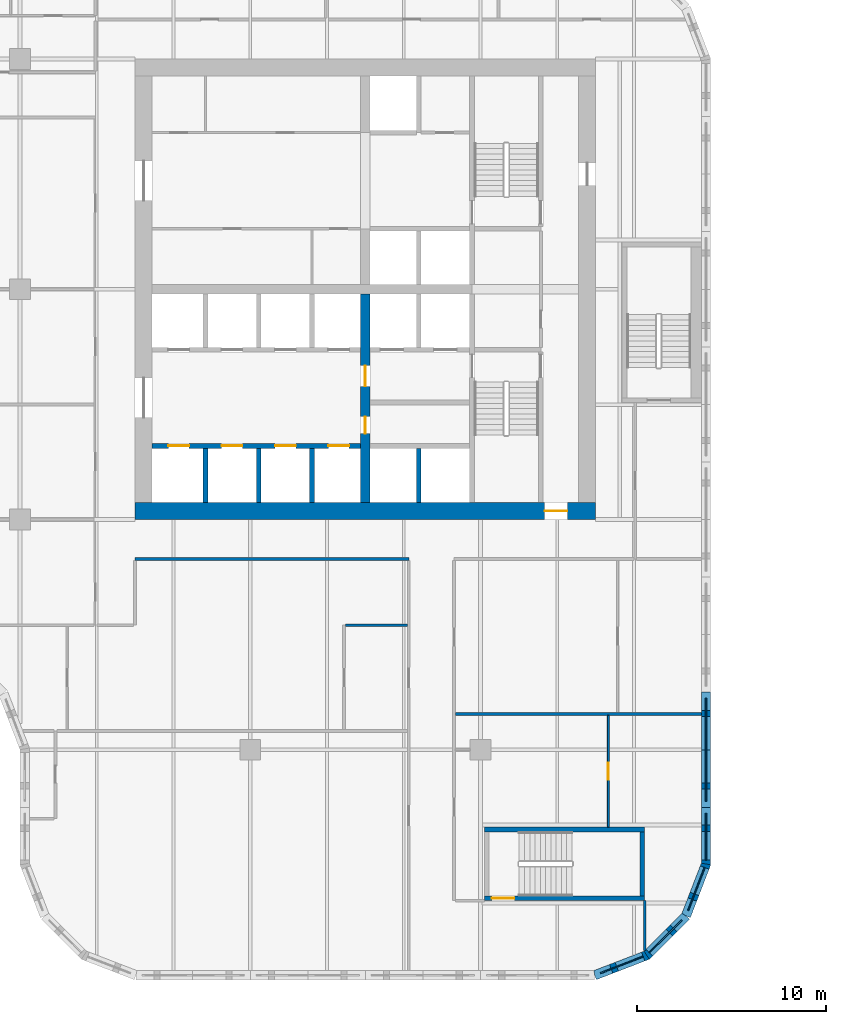
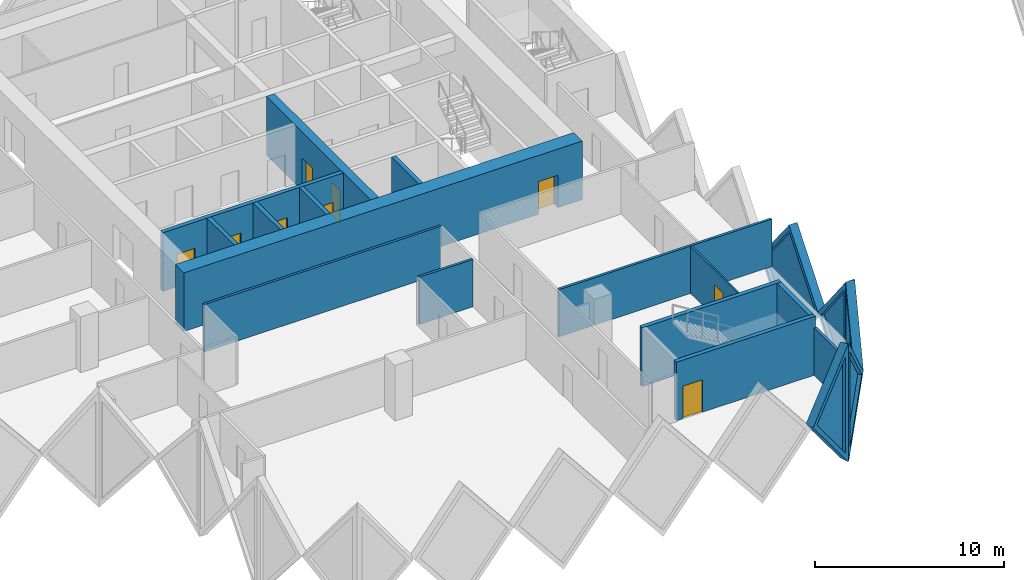
# One storey, part 6 of 18: 20 walls, 9 doors, 5 plates, 14 openings.
"""IFC4 building model written with IfcOpenShell, lengths in metres."""

import ifcopenshell
import ifcopenshell.guid

model = None  # the IFC model being written
_history = None  # IfcOwnerHistory: only IFC2X3 demands one
_inside = {}  # id of a spatial element -> (the spatial element, [elements in it])
_under = {}  # id of a project, library or spatial element -> (it, [spatial elements below it])
_declared = {}  # id of a project -> (the project, [libraries it declares])
_typed = {}  # id of a type object -> (the type object, [elements of that type])
_made_of = {}  # id of a material, layer set ... -> (it, [elements and type objects made of it])


def new_model(schema):
    """Start an empty IFC model of exactly this schema.

    Asked for "IFC4X3", IfcOpenShell would pick the latest addendum, in which some entities
    have other attributes; the version numbers below select the first issue.
    IFC2X3 requires an IfcOwnerHistory on every rooted entity: one is made here for all.
    """
    global model, _history
    if schema == "IFC4X3":
        model = ifcopenshell.file(schema_version=(4, 3, 0, 0))
    else:
        model = ifcopenshell.file(schema=schema)
    _inside.clear()
    _under.clear()
    _declared.clear()
    _typed.clear()
    _made_of.clear()
    _history = None
    if model.schema == "IFC2X3":
        org = make("IfcOrganization", Name="unknown")
        user = make(
            "IfcPersonAndOrganization",
            ThePerson=make("IfcPerson", FamilyName="unknown"),
            TheOrganization=org,
        )
        app = make(
            "IfcApplication",
            ApplicationDeveloper=org,
            Version="unknown",
            ApplicationFullName="unknown",
            ApplicationIdentifier="unknown",
        )
        _history = make(
            "IfcOwnerHistory",
            OwningUser=user,
            OwningApplication=app,
            ChangeAction="ADDED",
            CreationDate=0,
        )
    return model


def make(cls, **values):
    """One entity of the class cls with the attributes given. An attribute that is None is left unset."""
    return model.create_entity(
        cls, **{name: value for name, value in values.items() if value is not None}
    )


def rooted(cls, **values):
    """An entity with a GlobalId (a new one), such as an element, a storey or a relation."""
    return make(cls, GlobalId=ifcopenshell.guid.new(), OwnerHistory=_history, **values)


def si_unit(unit_type, name, prefix=None):
    """IfcSIUnit, for example si_unit("LENGTHUNIT", "METRE", prefix="MILLI")."""
    return make("IfcSIUnit", UnitType=unit_type, Prefix=prefix, Name=name)


def assignment(units):
    """IfcUnitAssignment: the units of a project."""
    return None if units is None else make("IfcUnitAssignment", Units=units)


def point(xyz):
    """IfcCartesianPoint."""
    return None if xyz is None else make("IfcCartesianPoint", Coordinates=xyz)


def direction(xyz):
    """IfcDirection."""
    return None if xyz is None else make("IfcDirection", DirectionRatios=xyz)


def frame(location, z_axis=None, x_axis=None):
    """IfcAxis2Placement3D, a coordinate frame: its origin and axes. An axis left out is left unset."""
    return make(
        "IfcAxis2Placement3D",
        Location=point(location),
        Axis=direction(z_axis),
        RefDirection=direction(x_axis),
    )


def frame_2d(location, x_axis=None):
    """IfcAxis2Placement2D, a coordinate frame in the plane: its origin and x axis."""
    return make(
        "IfcAxis2Placement2D", Location=point(location), RefDirection=direction(x_axis)
    )


def origin():
    """The frame at (0, 0, 0) with its axes left unset."""
    return frame((0.0, 0.0, 0.0))


def place(relative_to, where):
    """IfcLocalPlacement: puts the frame where relative to a parent placement (None: the world)."""
    return make(
        "IfcLocalPlacement", PlacementRelTo=relative_to, RelativePlacement=where
    )


def context(
    kind, dimensions, precision=None, world=None, true_north=None, identifier=None
):
    """IfcGeometricRepresentationContext, for example the 3D "Model" context."""
    return make(
        "IfcGeometricRepresentationContext",
        ContextIdentifier=identifier,
        ContextType=kind,
        CoordinateSpaceDimension=dimensions,
        Precision=precision,
        WorldCoordinateSystem=world,
        TrueNorth=true_north,
    )


def subcontext(parent, identifier, kind, view, scale=None):
    """IfcGeometricRepresentationSubContext, for example "Body" below "Model"."""
    return make(
        "IfcGeometricRepresentationSubContext",
        ContextIdentifier=identifier,
        ContextType=kind,
        ParentContext=parent,
        TargetScale=scale,
        TargetView=view,
    )


def project(units=None, contexts=None):
    """IfcProject with its units and contexts."""
    return rooted(
        "IfcProject",
        Name="project",
        RepresentationContexts=contexts,
        UnitsInContext=assignment(units),
    )


def spatial(cls, under=None, at=None, **own):
    """A site, building, storey or space (cls), placed at a placement, below another one or the project."""
    s = rooted(cls, ObjectPlacement=at, **own)
    if under is not None:
        _under.setdefault(under.id(), (under, []))[1].append(s)
    return s


def polyline(points):
    """IfcPolyline through the points."""
    return make("IfcPolyline", Points=[point(p) for p in points])


def profile(cls, at=None, kind="AREA", **sizes):
    """A parametric profile (cls). Its sizes go by their IFC names, for example OverallWidth=200.0."""
    return make(cls, ProfileType=kind, Position=at, **sizes)


def rectangle(**sizes):
    """IfcRectangleProfileDef."""
    return profile("IfcRectangleProfileDef", **sizes)


def outline(outer, holes=None, kind="AREA"):
    """IfcArbitraryClosedProfileDef: a profile drawn as a closed curve; with holes, ...WithVoids."""
    if holes is None:
        return make("IfcArbitraryClosedProfileDef", ProfileType=kind, OuterCurve=outer)
    return make(
        "IfcArbitraryProfileDefWithVoids",
        ProfileType=kind,
        OuterCurve=outer,
        InnerCurves=holes,
    )


def extrude(swept, where, along, depth):
    """IfcExtrudedAreaSolid: the profile swept, set in the frame where, extruded along a direction by depth."""
    return make(
        "IfcExtrudedAreaSolid",
        SweptArea=swept,
        Position=where,
        ExtrudedDirection=direction(along),
        Depth=depth,
    )


def faces_of(points, faces, orient=None, outer=None):
    """IfcFace entities. A face is a list of loops; a loop is a list of indices into points, from 0.

    orient and outer hold one flag for each loop. By default every Orientation is true, the
    first loop of a face is its IfcFaceOuterBound and the others are IfcFaceBound.
    """
    made = []
    for i, loops in enumerate(faces):
        bounds = []
        for j, loop in enumerate(loops):
            is_outer = j == 0 if outer is None else outer[i][j]
            bounds.append(
                make(
                    "IfcFaceOuterBound" if is_outer else "IfcFaceBound",
                    Bound=make("IfcPolyLoop", Polygon=[points[k] for k in loop]),
                    Orientation=True if orient is None else orient[i][j],
                )
            )
        made.append(make("IfcFace", Bounds=bounds))
    return made


def faceted_brep(points, faces, orient=None, outer=None, voids=None):
    """IfcFacetedBrep: a solid bounded by flat faces; with voids (closed shells), ...WithVoids."""
    shared = [point(p) for p in points]
    hull = make("IfcClosedShell", CfsFaces=faces_of(shared, faces, orient, outer))
    if voids is None:
        return make("IfcFacetedBrep", Outer=hull)
    return make(
        "IfcFacetedBrepWithVoids",
        Outer=hull,
        Voids=[
            make(cls, CfsFaces=faces_of(shared, fs, o, b)) for cls, fs, o, b in voids
        ],
    )


def shape(context_of_items, identifier, shape_type, items):
    """IfcShapeRepresentation: the items that make up one representation, for example the "Body"."""
    return make(
        "IfcShapeRepresentation",
        ContextOfItems=context_of_items,
        RepresentationIdentifier=identifier,
        RepresentationType=shape_type,
        Items=items,
    )


def source(mapping_origin, context_of_items, identifier, shape_type, items):
    """IfcRepresentationMap: a shape defined once, which mapped items show again and again."""
    return make(
        "IfcRepresentationMap",
        MappingOrigin=mapping_origin,
        MappedRepresentation=shape(context_of_items, identifier, shape_type, items),
    )


def transform(
    local_origin,
    x_axis=None,
    y_axis=None,
    z_axis=None,
    scale=None,
    scale2=None,
    scale3=None,
    uniform=True,
):
    """IfcCartesianTransformationOperator3D, or its non-uniform kind. x_axis, y_axis, z_axis: its Axis1, 2, 3."""
    if uniform:
        return make(
            "IfcCartesianTransformationOperator3D",
            Axis1=direction(x_axis),
            Axis2=direction(y_axis),
            LocalOrigin=point(local_origin),
            Scale=scale,
            Axis3=direction(z_axis),
        )
    return make(
        "IfcCartesianTransformationOperator3DnonUniform",
        Axis1=direction(x_axis),
        Axis2=direction(y_axis),
        LocalOrigin=point(local_origin),
        Scale=scale,
        Axis3=direction(z_axis),
        Scale2=scale2,
        Scale3=scale3,
    )


def mapped(mapping_source, mapping_target):
    """IfcMappedItem: shows the shape of a source again, moved by a transform."""
    return make(
        "IfcMappedItem", MappingSource=mapping_source, MappingTarget=mapping_target
    )


def material(Name=None, Category=None):
    """IfcMaterial."""
    return make("IfcMaterial", Name=Name, Category=Category)


def layer(
    of_material, thickness, ventilated=None, Name=None, Category=None, Priority=None
):
    """IfcMaterialLayer: one layer of a wall or slab, of a material (None: an air gap)."""
    return make(
        "IfcMaterialLayer",
        Material=of_material,
        LayerThickness=thickness,
        IsVentilated=ventilated,
        Name=Name,
        Category=Category,
        Priority=Priority,
    )


def layer_set(layers, Name=None):
    """IfcMaterialLayerSet."""
    return make("IfcMaterialLayerSet", MaterialLayers=layers, LayerSetName=Name)


def made_of(thing, what):
    """Note that an element or type object is made of a material, layer set ...; save() writes the relation."""
    if what is not None:
        _made_of.setdefault(what.id(), (what, []))[1].append(thing)
    return thing


def type_object(cls, material=None, **own):
    """A type object (cls), such as IfcWallType, which elements share."""
    return made_of(rooted(cls, **own), material)


def element(
    cls,
    number,
    at=None,
    inside=None,
    cuts=None,
    type_object=None,
    material=None,
    context=None,
    identifier="Body",
    shape_type=None,
    held_by="IfcProductDefinitionShape",
    body=None,
    shapes=None,
    **own,
):
    """One element of the class cls, such as IfcWall. Its Tag is "e" and its number.

    at: its placement. inside: the storey or other place that contains it. cuts: it is an
    opening in that element (IfcRelVoidsElement). A single representation is given by context,
    identifier, shape_type and body (its items); several are given by shapes. held_by: the class
    of the entity that holds the representations. save() writes the other relations.
    """
    e = rooted(cls, Tag="e%d" % number, ObjectPlacement=at, **own)
    if body is not None:
        shapes = [shape(context, identifier, shape_type, body)]
    if shapes is not None:
        e.Representation = make(held_by, Representations=shapes)
    if inside is not None:
        _inside.setdefault(inside.id(), (inside, []))[1].append(e)
    if cuts is not None:
        rooted(
            "IfcRelVoidsElement", RelatingBuildingElement=cuts, RelatedOpeningElement=e
        )
    if type_object is not None:
        _typed.setdefault(type_object.id(), (type_object, []))[1].append(e)
    return made_of(e, material)


def fill(opening, filler):
    """IfcRelFillsElement: the door or window that sits in an opening."""
    return rooted(
        "IfcRelFillsElement",
        RelatingOpeningElement=opening,
        RelatedBuildingElement=filler,
    )


def aggregate(whole, parts):
    """IfcRelAggregates: a whole, such as a stair, and the parts it consists of."""
    return rooted("IfcRelAggregates", RelatingObject=whole, RelatedObjects=parts)


def save(model, path):
    """Write the relations noted so far, then the file.

    IfcRelAggregates (storeys below a building ...), IfcRelContainedInSpatialStructure (elements
    in a storey), IfcRelDefinesByType, IfcRelAssociatesMaterial and IfcRelDeclares: one each for
    every whole, place, type object, material and project.
    """
    for whole, parts in _under.values():
        aggregate(whole, parts)
    for where, things in _inside.values():
        rooted(
            "IfcRelContainedInSpatialStructure",
            RelatedElements=things,
            RelatingStructure=where,
        )
    for kind, things in _typed.values():
        rooted("IfcRelDefinesByType", RelatedObjects=things, RelatingType=kind)
    for what, things in _made_of.values():
        rooted("IfcRelAssociatesMaterial", RelatedObjects=things, RelatingMaterial=what)
    for by, libraries in _declared.values():
        rooted("IfcRelDeclares", RelatingContext=by, RelatedDefinitions=libraries)
    model.write(path)


model = new_model("IFC4")

# Units and contexts
model_context = context("Model", 3, precision=1e-05, world=origin(), true_north=direction((0.0, 1.0)))
body_context = subcontext(model_context, "Body", "Model", "MODEL_VIEW")
ifc_project = project(units=[si_unit("LENGTHUNIT", "METRE"), si_unit("AREAUNIT", "SQUARE_METRE"), si_unit("VOLUMEUNIT", "CUBIC_METRE"), si_unit("PLANEANGLEUNIT", "RADIAN"), si_unit("MASSUNIT", "GRAM", prefix="KILO")], contexts=[model_context])

# Site, building, storey
site_placement = place(None, origin())
site = spatial("IfcSite", under=ifc_project, at=site_placement, CompositionType="ELEMENT")
building_placement = place(site_placement, origin())
building = spatial("IfcBuilding", under=site, at=building_placement, Name="Tessera Gate Towers", CompositionType="ELEMENT")
storey_placement = place(building_placement, frame((0.0, 0.0, 44.800048828125)))
storey = spatial("IfcBuildingStorey", under=building, at=storey_placement, Name="L10", CompositionType="ELEMENT", Elevation=44.800048828125)

# Wall, openings, doors
ifc_material_1 = material(Name="Concrete C40/50", Category="concrete")
ifc_layer_1 = layer(ifc_material_1, 0.25)
ifc_layer_set_1 = layer_set([ifc_layer_1], Name="CORE ENCLOSURE WALL 250")
wall_type_1 = type_object("IfcWallType", Name="CORE ENCLOSURE WALL 250", PredefinedType="SOLIDWALL", material=ifc_layer_set_1)
wall_1_placement = place(storey_placement, frame((31.39990234375, 28.300048828125, 0.0), z_axis=(0.0, 0.0, 1.0), x_axis=(1.0, 0.0, 0.0)))
wall_1 = element("IfcWall", 1, at=wall_1_placement, inside=storey, type_object=wall_type_1, Name="L10 shaft and stair enclosure wall", PredefinedType="SOLIDWALL", context=body_context, shape_type="SweptSolid", body=[
    extrude(rectangle(XDim=11.050048828125, YDim=0.25, at=frame_2d((5.52490234375, 0.0))), origin(), (0.0, 0.0, 1.0), 3.800048828125),
])
shared_shape_1 = source(origin(), body_context, "Body", "SweptSolid", [
    extrude(rectangle(XDim=1.10009765625, YDim=2.10009765625, at=frame_2d((0.550048828125, 1.050048828125))), frame((0.0, 0.135009765625, 0.0), z_axis=(0.0, -1.0, 0.0), x_axis=(1.0, 0.0, 0.0)), (0.0, 0.0, 1.0), 0.27001953125),
])
opening_1_placement = place(wall_1_placement, frame((0.862548828125, 0.0, 0.0)))
opening_1 = element("IfcOpeningElement", 2, at=opening_1_placement, cuts=wall_1, Name="Opening LD-LR1", PredefinedType="OPENING", context=body_context, shape_type="MappedRepresentation", body=[
    mapped(shared_shape_1, transform((0.0, 0.0, 0.0), scale=1.0)),
])
opening_2_placement = place(wall_1_placement, frame((3.6875, 0.0, 0.0)))
opening_2 = element("IfcOpeningElement", 3, at=opening_2_placement, cuts=wall_1, Name="Opening LD-LR2", PredefinedType="OPENING", context=body_context, shape_type="MappedRepresentation", body=[
    mapped(shared_shape_1, transform((0.0, 0.0, 0.0), scale=1.0)),
])
opening_3_placement = place(wall_1_placement, frame((6.512451171875, 0.0, 0.0)))
opening_3 = element("IfcOpeningElement", 4, at=opening_3_placement, cuts=wall_1, Name="Opening LD-LR3", PredefinedType="OPENING", context=body_context, shape_type="MappedRepresentation", body=[
    mapped(shared_shape_1, transform((0.0, 0.0, 0.0), scale=1.0)),
])
opening_4_placement = place(wall_1_placement, frame((9.33740234375, 0.0, 0.0)))
opening_4 = element("IfcOpeningElement", 5, at=opening_4_placement, cuts=wall_1, Name="Opening LD-LR4", PredefinedType="OPENING", context=body_context, shape_type="MappedRepresentation", body=[
    mapped(shared_shape_1, transform((0.0, 0.0, 0.0), scale=1.0)),
])
ifc_material_2 = material(Name="Stainless steel", Category="steel")
door_type_1 = type_object("IfcDoorType", Name="CORE DOOR LD 1100x2100", OperationType="DOUBLE_DOOR_SLIDING", PredefinedType="DOOR", material=ifc_material_2)
shared_shape_2 = source(origin(), body_context, "Body", "SweptSolid", [
    extrude(rectangle(XDim=1.10009765625, YDim=2.10009765625, at=frame_2d((0.550048828125, 1.050048828125))), frame((0.0, 0.02490234375, 0.0), z_axis=(0.0, -1.0, 0.0), x_axis=(1.0, 0.0, 0.0)), (0.0, 0.0, 1.0), 0.050048828125),
])
door_1_placement = place(opening_1_placement, origin())
door_1 = element("IfcDoor", 6, at=door_1_placement, inside=storey, type_object=door_type_1, Name="Landing door LR1 L10", OperationType="DOUBLE_DOOR_SLIDING", OverallHeight=2.10009765625, OverallWidth=1.10009765625, PredefinedType="DOOR", context=body_context, shape_type="MappedRepresentation", body=[
    mapped(shared_shape_2, transform((0.0, 0.0, 0.0), scale=1.0)),
])
fill(opening_1, door_1)
door_2_placement = place(opening_2_placement, origin())
door_2 = element("IfcDoor", 7, at=door_2_placement, inside=storey, type_object=door_type_1, Name="Landing door LR2 L10", OperationType="DOUBLE_DOOR_SLIDING", OverallHeight=2.10009765625, OverallWidth=1.10009765625, PredefinedType="DOOR", context=body_context, shape_type="MappedRepresentation", body=[
    mapped(shared_shape_2, transform((0.0, 0.0, 0.0), scale=1.0)),
])
fill(opening_2, door_2)
door_3_placement = place(opening_3_placement, origin())
door_3 = element("IfcDoor", 8, at=door_3_placement, inside=storey, type_object=door_type_1, Name="Landing door LR3 L10", OperationType="DOUBLE_DOOR_SLIDING", OverallHeight=2.10009765625, OverallWidth=1.10009765625, PredefinedType="DOOR", context=body_context, shape_type="MappedRepresentation", body=[
    mapped(shared_shape_2, transform((0.0, 0.0, 0.0), scale=1.0)),
])
fill(opening_3, door_3)
door_4_placement = place(opening_4_placement, origin())
door_4 = element("IfcDoor", 9, at=door_4_placement, inside=storey, type_object=door_type_1, Name="Landing door LR4 L10", OperationType="DOUBLE_DOOR_SLIDING", OverallHeight=2.10009765625, OverallWidth=1.10009765625, PredefinedType="DOOR", context=body_context, shape_type="MappedRepresentation", body=[
    mapped(shared_shape_2, transform((0.0, 0.0, 0.0), scale=1.0)),
])
fill(opening_4, door_4)

# Walls
for number, where, z_axis, x_axis, name in (
    (10, (34.22509765625, 25.300048828125, 0.0), (0.0, 0.0, 1.0), (0.0, 1.0, 0.0), "L10 shaft and stair enclosure wall"),
    (11, (37.050048828125, 25.300048828125, 0.0), (0.0, 0.0, 1.0), (0.0, 1.0, 0.0), "L10 shaft and stair enclosure wall"),
    (12, (39.875, 25.300048828125, 0.0), (0.0, 0.0, 1.0), (0.0, 1.0, 0.0), "L10 shaft and stair enclosure wall"),
    (13, (45.52490234375, 25.300048828125, 0.0), (0.0, 0.0, 1.0), (0.0, 1.0, 0.0), "L10 shaft and stair enclosure wall"),
):
    element("IfcWall", number, at=place(storey_placement, frame(where, z_axis=z_axis, x_axis=x_axis)), inside=storey, type_object=wall_type_1, Name=name, PredefinedType="SOLIDWALL", context=body_context, shape_type="SweptSolid", body=[
        extrude(rectangle(XDim=2.875, YDim=0.25, at=frame_2d((1.4375, 0.0))), origin(), (0.0, 0.0, 1.0), 3.800048828125),
    ])

# Wall, opening, door
wall_2_placement = place(storey_placement, frame((57.5, 4.324951171875, 0.0), z_axis=(0.0, 0.0, 1.0), x_axis=(-1.0, 0.0, 0.0)))
wall_2 = element("IfcWall", 14, at=wall_2_placement, inside=storey, type_object=wall_type_1, Name="L10 ST4 enclosure wall", PredefinedType="SOLIDWALL", context=body_context, shape_type="SweptSolid", body=[
    extrude(rectangle(XDim=8.5, YDim=0.25, at=frame_2d((4.25, 0.0))), origin(), (0.0, 0.0, 1.0), 3.800048828125),
])
shared_shape_3 = source(origin(), body_context, "Body", "SweptSolid", [
    extrude(rectangle(XDim=1.199951171875, YDim=2.10009765625, at=frame_2d((0.60009765625, 1.050048828125))), frame((0.0, 0.135009765625, 0.0), z_axis=(0.0, -1.0, 0.0), x_axis=(1.0, 0.0, 0.0)), (0.0, 0.0, 1.0), 0.27001953125),
])
opening_5_placement = place(wall_2_placement, frame((6.89990234375, 0.0, 0.0)))
opening_5 = element("IfcOpeningElement", 15, at=opening_5_placement, cuts=wall_2, Name="Opening SD-ST4-1", PredefinedType="OPENING", context=body_context, shape_type="MappedRepresentation", body=[
    mapped(shared_shape_3, transform((0.0, 0.0, 0.0), scale=1.0)),
])
ifc_material_3 = material(Name="Hollow steel fire door", Category="steel")
door_type_2 = type_object("IfcDoorType", Name="CORE DOOR SD 1200x2100", OperationType="NOTDEFINED", PredefinedType="DOOR", material=ifc_material_3)
shared_shape_4 = source(origin(), body_context, "Body", "SweptSolid", [
    extrude(rectangle(XDim=1.199951171875, YDim=2.10009765625, at=frame_2d((0.60009765625, 1.050048828125))), frame((0.0, 0.02490234375, 0.0), z_axis=(0.0, -1.0, 0.0), x_axis=(1.0, 0.0, 0.0)), (0.0, 0.0, 1.0), 0.050048828125),
])
door_5_placement = place(opening_5_placement, origin())
door_5 = element("IfcDoor", 16, at=door_5_placement, inside=storey, type_object=door_type_2, Name="Stair door", OperationType="SINGLE_SWING_RIGHT", OverallHeight=2.10009765625, OverallWidth=1.199951171875, PredefinedType="DOOR", context=body_context, shape_type="MappedRepresentation", body=[
    mapped(shared_shape_4, transform((0.0, 0.0, 0.0), scale=1.0)),
])
fill(opening_5, door_5)

# Walls
wall_3_placement = place(storey_placement, frame((49.0, 7.97509765625, 0.0), z_axis=(0.0, 0.0, 1.0), x_axis=(1.0, 0.0, 0.0)))
element("IfcWall", 17, at=wall_3_placement, inside=storey, type_object=wall_type_1, Name="L10 ST4 enclosure wall", PredefinedType="SOLIDWALL", context=body_context, shape_type="SweptSolid", body=[
    extrude(rectangle(XDim=8.5, YDim=0.25, at=frame_2d((4.25, 0.0))), origin(), (0.0, 0.0, 1.0), 3.800048828125),
])
wall_4_placement = place(storey_placement, frame((57.375, 7.85009765625, 0.0), z_axis=(0.0, 0.0, 1.0), x_axis=(0.0, -1.0, 0.0)))
element("IfcWall", 18, at=wall_4_placement, inside=storey, type_object=wall_type_1, Name="L10 ST4 enclosure wall", PredefinedType="SOLIDWALL", context=body_context, shape_type="SweptSolid", body=[
    extrude(rectangle(XDim=3.400146484375, YDim=0.25, at=frame_2d((1.7001953125, 0.0))), origin(), (0.0, 0.0, 1.0), 3.800048828125),
])

# Wall, opening, door
ifc_material_4 = material(Name="Concrete C70/85", Category="concrete")
ifc_layer_2 = layer(ifc_material_4, 0.89990234375)
ifc_layer_set_2 = layer_set([ifc_layer_2], Name="CORE SHEAR WALL 900 C70/85")
wall_type_2 = type_object("IfcWallType", Name="CORE SHEAR WALL 900 C70/85", PredefinedType="SHEAR", material=ifc_layer_set_2)
wall_5_placement = place(storey_placement, frame((54.89990234375, 24.85009765625, 0.0), z_axis=(0.0, 0.0, 1.0), x_axis=(-1.0, 0.0, 0.0)))
wall_5 = element("IfcWall", 19, at=wall_5_placement, inside=storey, type_object=wall_type_2, Name="Core wall S L10", PredefinedType="SHEAR", context=body_context, shape_type="SweptSolid", body=[
    extrude(rectangle(XDim=24.39990234375, YDim=0.89990234375, at=frame_2d((12.199951171875, 0.0))), origin(), (0.0, 0.0, 1.0), 3.800048828125),
])
shared_shape_5 = source(origin(), body_context, "Body", "SweptSolid", [
    extrude(rectangle(XDim=1.199951171875, YDim=2.10009765625, at=frame_2d((0.60009765625, 1.050048828125))), frame((0.0, 0.4599609375, 0.0), z_axis=(0.0, -1.0, 0.0), x_axis=(1.0, 0.0, 0.0)), (0.0, 0.0, 1.0), 0.919921875),
])
opening_6_placement = place(wall_5_placement, frame((1.5, 0.0, 0.0)))
opening_6 = element("IfcOpeningElement", 20, at=opening_6_placement, cuts=wall_5, Name="Opening ED-T1-08-01", PredefinedType="OPENING", context=body_context, shape_type="MappedRepresentation", body=[
    mapped(shared_shape_5, transform((0.0, 0.0, 0.0), scale=1.0)),
])
ifc_material_5 = material(Name="Hollow steel fire door", Category="steel")
door_type_3 = type_object("IfcDoorType", Name="CORE DOOR ED 1200x2100", OperationType="NOTDEFINED", PredefinedType="DOOR", material=ifc_material_5)
door_6_placement = place(opening_6_placement, origin())
door_6 = element("IfcDoor", 21, at=door_6_placement, inside=storey, type_object=door_type_3, Name="Core exit door", OperationType="SINGLE_SWING_LEFT", OverallHeight=2.10009765625, OverallWidth=1.199951171875, PredefinedType="DOOR", context=body_context, shape_type="MappedRepresentation", body=[
    mapped(shared_shape_4, transform((0.0, 0.0, 0.0), scale=1.0)),
])
fill(opening_6, door_6)

# Wall, openings, doors
ifc_material_6 = material(Name="Concrete C70/85", Category="concrete")
ifc_layer_3 = layer(ifc_material_6, 0.5)
ifc_layer_set_3 = layer_set([ifc_layer_3], Name="CORE SPINE WALL 500 C70/85")
wall_type_3 = type_object("IfcWallType", Name="CORE SPINE WALL 500 C70/85", PredefinedType="SHEAR", material=ifc_layer_set_3)
wall_6_placement = place(storey_placement, frame((42.699951171875, 36.35009765625, 0.0), z_axis=(0.0, 0.0, 1.0), x_axis=(0.0, -1.0, 0.0)))
wall_6 = element("IfcWall", 22, at=wall_6_placement, inside=storey, type_object=wall_type_3, Name="Core wall spine L10", PredefinedType="SHEAR", context=body_context, shape_type="SweptSolid", body=[
    extrude(rectangle(XDim=11.050048828125, YDim=0.5, at=frame_2d((5.52490234375, 0.0))), origin(), (0.0, 0.0, 1.0), 3.800048828125),
])
shared_shape_6 = source(origin(), body_context, "Body", "SweptSolid", [
    extrude(rectangle(XDim=0.89990234375, YDim=2.10009765625, at=frame_2d((0.449951171875, 1.050048828125))), frame((0.0, 0.260009765625, 0.0), z_axis=(0.0, -1.0, 0.0), x_axis=(1.0, 0.0, 0.0)), (0.0, 0.0, 1.0), 0.52001953125),
])
opening_7_placement = place(wall_6_placement, frame((6.5, 0.0, 0.0)))
opening_7 = element("IfcOpeningElement", 23, at=opening_7_placement, cuts=wall_6, Name="Opening RD-T1-08-05", PredefinedType="OPENING", context=body_context, shape_type="MappedRepresentation", body=[
    mapped(shared_shape_6, transform((0.0, 0.0, 0.0), scale=1.0)),
])
shared_shape_7 = source(origin(), body_context, "Body", "SweptSolid", [
    extrude(rectangle(XDim=1.10009765625, YDim=2.10009765625, at=frame_2d((0.550048828125, 1.050048828125))), frame((0.0, 0.260009765625, 0.0), z_axis=(0.0, -1.0, 0.0), x_axis=(1.0, 0.0, 0.0)), (0.0, 0.0, 1.0), 0.52001953125),
])
opening_8_placement = place(wall_6_placement, frame((3.800048828125, 0.0, 0.0)))
opening_8 = element("IfcOpeningElement", 24, at=opening_8_placement, cuts=wall_6, Name="Opening FD-T1-08-06", PredefinedType="OPENING", context=body_context, shape_type="MappedRepresentation", body=[
    mapped(shared_shape_7, transform((0.0, 0.0, 0.0), scale=1.0)),
])
ifc_material_7 = material(Name="Hollow steel fire door", Category="steel")
door_type_4 = type_object("IfcDoorType", Name="CORE DOOR RD 900x2100", OperationType="NOTDEFINED", PredefinedType="DOOR", material=ifc_material_7)
shared_shape_8 = source(origin(), body_context, "Body", "SweptSolid", [
    extrude(rectangle(XDim=0.89990234375, YDim=2.10009765625, at=frame_2d((0.449951171875, 1.050048828125))), frame((0.0, 0.02490234375, 0.0), z_axis=(0.0, -1.0, 0.0), x_axis=(1.0, 0.0, 0.0)), (0.0, 0.0, 1.0), 0.050048828125),
])
door_7_placement = place(opening_7_placement, origin())
door_7 = element("IfcDoor", 25, at=door_7_placement, inside=storey, type_object=door_type_4, Name="Core room door", OperationType="SINGLE_SWING_RIGHT", OverallHeight=2.10009765625, OverallWidth=0.89990234375, PredefinedType="DOOR", context=body_context, shape_type="MappedRepresentation", body=[
    mapped(shared_shape_8, transform((0.0, 0.0, 0.0), scale=1.0)),
])
fill(opening_7, door_7)
ifc_material_8 = material(Name="Hollow steel fire door", Category="steel")
door_type_5 = type_object("IfcDoorType", Name="CORE DOOR FD 1100x2100", OperationType="NOTDEFINED", PredefinedType="DOOR", material=ifc_material_8)
door_8_placement = place(opening_8_placement, origin())
door_8 = element("IfcDoor", 26, at=door_8_placement, inside=storey, type_object=door_type_5, Name="Fire-fighting lobby door", OperationType="SINGLE_SWING_LEFT", OverallHeight=2.10009765625, OverallWidth=1.10009765625, PredefinedType="DOOR", context=body_context, shape_type="MappedRepresentation", body=[
    mapped(shared_shape_2, transform((0.0, 0.0, 0.0), scale=1.0)),
])
fill(opening_8, door_8)

# Walls
ifc_material_9 = material(Name="Gypsum board on steel studs, mineral wool", Category="steel")
ifc_layer_4 = layer(ifc_material_9, 0.14990234375)
ifc_layer_set_4 = layer_set([ifc_layer_4], Name="CORRIDOR WALL 150")
wall_type_4 = type_object("IfcWallType", Name="CORRIDOR WALL 150", PredefinedType="PARTITIONING", material=ifc_layer_set_4)
wall_7_placement = place(storey_placement, frame((57.5, 1.55908203125, 0.0), z_axis=(0.0, 0.0, 1.0), x_axis=(0.0, 1.0, 0.0)))
element("IfcWall", 27, at=wall_7_placement, inside=storey, type_object=wall_type_4, Name="T1-L10-PW-002", PredefinedType="PARTITIONING", context=body_context, shape_type="SweptSolid", body=[
    extrude(rectangle(XDim=2.640869140625, YDim=0.14990234375, at=frame_2d((1.3203125, 0.0))), origin(), (0.0, 0.0, 1.0), 3.06689453125),
])
wall_8_placement = place(storey_placement, frame((30.5, 22.300048828125, 0.0), z_axis=(0.0, 0.0, 1.0), x_axis=(1.0, 0.0, 0.0)))
element("IfcWall", 28, at=wall_8_placement, inside=storey, type_object=wall_type_4, Name="T1-L10-PW-022", PredefinedType="PARTITIONING", context=body_context, shape_type="SweptSolid", body=[
    extrude(rectangle(XDim=14.5, YDim=0.14990234375, at=frame_2d((7.25, 0.0))), origin(), (0.0, 0.0, 1.0), 3.06689453125),
])

# Wall, opening, door
ifc_material_10 = material(Name="Gypsum board on steel studs", Category="steel")
ifc_layer_5 = layer(ifc_material_10, 0.10009765625)
ifc_layer_set_5 = layer_set([ifc_layer_5], Name="PARTITION 100")
wall_type_5 = type_object("IfcWallType", Name="PARTITION 100", PredefinedType="PARTITIONING", material=ifc_layer_set_5)
wall_9_placement = place(storey_placement, frame((55.574951171875, 14.02392578125, 0.0), z_axis=(0.0, 0.0, 1.0), x_axis=(0.0, -1.0, 0.0)))
wall_9 = element("IfcWall", 29, at=wall_9_placement, inside=storey, type_object=wall_type_5, Name="T1-L10-PW-005", PredefinedType="PARTITIONING", context=body_context, shape_type="SweptSolid", body=[
    extrude(rectangle(XDim=5.923828125, YDim=0.10009765625, at=frame_2d((2.9619140625, 0.0))), origin(), (0.0, 0.0, 1.0), 3.06689453125),
])
shared_shape_9 = source(origin(), body_context, "Body", "SweptSolid", [
    extrude(rectangle(XDim=0.89990234375, YDim=2.10009765625, at=frame_2d((0.449951171875, 1.050048828125))), frame((0.0, 0.06005859375, 0.0), z_axis=(0.0, -1.0, 0.0), x_axis=(1.0, 0.0, 0.0)), (0.0, 0.0, 1.0), 0.1201171875),
])
opening_9_placement = place(wall_9_placement, frame((2.52392578125, 0.0, 0.0)))
opening_9 = element("IfcOpeningElement", 30, at=opening_9_placement, cuts=wall_9, Name="Opening D190-A03-08", PredefinedType="OPENING", context=body_context, shape_type="MappedRepresentation", body=[
    mapped(shared_shape_9, transform((0.0, 0.0, 0.0), scale=1.0)),
])
ifc_material_11 = material(Name="Timber door leaf in steel frame", Category="steel")
door_type_6 = type_object("IfcDoorType", Name="INTERNAL DOOR 900 NOT RATED", OperationType="NOTDEFINED", PredefinedType="DOOR", material=ifc_material_11)
door_9_placement = place(opening_9_placement, origin())
door_9 = element("IfcDoor", 31, at=door_9_placement, inside=storey, type_object=door_type_6, Name="T1-L10-PD-012", OperationType="SINGLE_SWING_RIGHT", OverallHeight=2.10009765625, OverallWidth=0.89990234375, PredefinedType="DOOR", context=body_context, shape_type="MappedRepresentation", body=[
    mapped(shared_shape_8, transform((0.0, 0.0, 0.0), scale=1.0)),
])
fill(opening_9, door_9)

# Walls
ifc_material_12 = material(Name="Gypsum board on steel studs, mineral wool", Category="steel")
ifc_layer_6 = layer(ifc_material_12, 0.14990234375)
ifc_layer_set_6 = layer_set([ifc_layer_6], Name="TENANCY WALL 150")
wall_type_6 = type_object("IfcWallType", Name="TENANCY WALL 150", PredefinedType="PARTITIONING", material=ifc_layer_set_6)
wall_10_placement = place(storey_placement, frame((47.47607421875, 14.10009765625, 0.0), z_axis=(0.0, 0.0, 1.0), x_axis=(1.0, 0.0, 0.0)))
element("IfcWall", 32, at=wall_10_placement, inside=storey, type_object=wall_type_6, Name="T1-L10-PW-013", PredefinedType="PARTITIONING", context=body_context, shape_type="SweptSolid", body=[
    extrude(rectangle(XDim=13.02392578125, YDim=0.14990234375, at=frame_2d((6.511962890625, 0.0))), origin(), (0.0, 0.0, 1.0), 3.06689453125),
])
wall_11_placement = place(storey_placement, frame((41.65087890625, 18.800048828125, 0.0), z_axis=(0.0, 0.0, 1.0), x_axis=(1.0, 0.0, 0.0)))
element("IfcWall", 33, at=wall_11_placement, inside=storey, type_object=wall_type_6, Name="T1-L10-PW-020", PredefinedType="PARTITIONING", context=body_context, shape_type="SweptSolid", body=[
    extrude(rectangle(XDim=3.273193359375, YDim=0.14990234375, at=frame_2d((1.63671875, 0.0))), origin(), (0.0, 0.0, 1.0), 3.06689453125),
])

# Wall, opening, plate
ifc_material_13 = material(Name="Precast concrete C60/75 white", Category="concrete")
ifc_layer_7 = layer(ifc_material_13, 0.5)
ifc_layer_set_7 = layer_set([ifc_layer_7], Name="TS1 tessera")
wall_type_7 = type_object("IfcWallType", Name="TS1 tessera", PredefinedType="SOLIDWALL", material=ifc_layer_set_7)
shared_shape_10 = source(origin(), body_context, "Body", "SweptSolid", [
    extrude(outline(polyline([(3.050048828125, 0.0), (6.10009765625, 3.800048828125), (3.050048828125, 7.60009765625), (0.0, 3.800048828125), (3.050048828125, 0.0)])), frame((0.0, 0.25, 0.0), z_axis=(0.0, -1.0, 0.0), x_axis=(1.0, 0.0, 0.0)), (0.0, 0.0, 1.0), 0.5),
])
wall_12_placement = place(storey_placement, frame((60.75, 9.14990234375, -3.800048828125), z_axis=(0.0, 0.0, 1.0), x_axis=(0.0, 1.0, 0.0)))
wall_12 = element("IfcWall", 34, at=wall_12_placement, inside=storey, type_object=wall_type_7, Name="Precast tessera T1 TS1-0119", PredefinedType="SOLIDWALL", context=body_context, shape_type="MappedRepresentation", body=[
    mapped(shared_shape_10, transform((0.0, 0.0, 0.0), scale=1.0)),
])
shared_shape_11 = source(origin(), body_context, "Body", "SweptSolid", [
    extrude(outline(polyline([(3.050048828125, 0.3994140625), (5.779541015625, 3.800048828125), (3.050048828125, 7.20068359375), (0.320556640625, 3.800048828125), (3.050048828125, 0.3994140625)])), frame((0.0, 0.260009765625, 0.0), z_axis=(0.0, -1.0, 0.0), x_axis=(1.0, 0.0, 0.0)), (0.0, 0.0, 1.0), 0.52001953125),
])
opening_10_placement = place(wall_12_placement, origin())
opening_10 = element("IfcOpeningElement", 35, at=opening_10_placement, cuts=wall_12, Name="Opening T1-PL2-0243", PredefinedType="OPENING", context=body_context, shape_type="MappedRepresentation", body=[
    mapped(shared_shape_11, transform((0.0, 0.0, 0.0), scale=1.0)),
])
ifc_material_14 = material(Name="Low-e laminated glass", Category="glass")
ifc_layer_8 = layer(ifc_material_14, 0.06005859375)
ifc_layer_set_8 = layer_set([ifc_layer_8], Name="PL2 rhombic pane")
plate_type = type_object("IfcPlateType", Name="PL2 rhombic pane", PredefinedType="SHEET", material=ifc_layer_set_8)
shared_shape_12 = source(origin(), body_context, "Body", "SweptSolid", [
    extrude(outline(polyline([(3.050048828125, 0.3994140625), (5.779541015625, 3.800048828125), (3.050048828125, 7.20068359375), (0.320556640625, 3.800048828125), (3.050048828125, 0.3994140625)])), frame((0.0, 0.030029296875, 0.0), z_axis=(0.0, -1.0, 0.0), x_axis=(1.0, 0.0, 0.0)), (0.0, 0.0, 1.0), 0.06005859375),
])
plate_1_placement = place(opening_10_placement, origin())
plate_1 = element("IfcPlate", 36, at=plate_1_placement, inside=storey, type_object=plate_type, Name="Glass pane T1 PL2-0243", PredefinedType="SHEET", context=body_context, shape_type="MappedRepresentation", body=[
    mapped(shared_shape_12, transform((0.0, 0.0, 0.0), scale=1.0)),
])
fill(opening_10, plate_1)

ifc_material_15 = material(Name="Precast concrete C60/75 white", Category="concrete")
ifc_layer_9 = layer(ifc_material_15, 0.5)
ifc_layer_set_9 = layer_set([ifc_layer_9], Name="TS3 corner tessera")
wall_type_8 = type_object("IfcWallType", Name="TS3 corner tessera", PredefinedType="SOLIDWALL", material=ifc_layer_set_9)
shared_shape_13 = source(origin(), body_context, "Body", "Brep", [
    faceted_brep([(2.950439453125, -0.25, 0.0), (3.00341796875, -0.25, 0.068359375), (3.00341796875, -0.25, 7.53173828125), (2.950439453125, -0.25, 7.60009765625), (0.0, -0.25, 3.800048828125), (0.046630859375, 0.25, 3.860107421875), (2.897705078125, 0.25, 7.531982421875), (2.897705078125, 0.25, 0.068115234375), (0.046630859375, 0.25, 3.739990234375), (2.950439453125, 0.00048828125, 0.0), (2.950439453125, 0.00048828125, 7.60009765625), (0.0, 0.0, 3.800048828125)], [[[0, 1, 2, 3, 4]], [[5, 6, 7, 8]], [[1, 0, 9]], [[10, 3, 2]], [[6, 5, 11, 4, 3, 10]], [[8, 7, 9, 0, 4, 11]], [[8, 11, 5]], [[1, 9, 7, 6, 10, 2]]]),
])
wall_13_placement = place(storey_placement, frame((54.853515625, 0.25, -3.800048828125), z_axis=(0.0, 0.0, 1.0), x_axis=(0.932970071518, 0.359953949349, 0.0)))
wall_13 = element("IfcWall", 37, at=wall_13_placement, inside=storey, type_object=wall_type_8, Name="Precast corner tessera T1 TS3-0193", PredefinedType="SOLIDWALL", context=body_context, shape_type="MappedRepresentation", body=[
    mapped(shared_shape_13, transform((0.0, 0.0, 0.0), scale=1.0)),
])
shared_shape_14 = source(origin(), body_context, "Body", "SweptSolid", [
    extrude(outline(polyline([(2.75048828125, 6.934814453125), (0.31640625, 3.800048828125), (2.75048828125, 0.665283203125), (2.75048828125, 6.934814453125)])), frame((0.0, 0.260009765625, 0.0), z_axis=(0.0, -1.0, 0.0), x_axis=(1.0, 0.0, 0.0)), (0.0, 0.0, 1.0), 0.52001953125),
])
opening_11_placement = place(wall_13_placement, origin())
opening_11 = element("IfcOpeningElement", 38, at=opening_11_placement, cuts=wall_13, Name="Opening T1-PL2-0239", PredefinedType="OPENING", context=body_context, shape_type="MappedRepresentation", body=[
    mapped(shared_shape_14, transform((0.0, 0.0, 0.0), scale=1.0)),
])
shared_shape_15 = source(origin(), body_context, "Body", "SweptSolid", [
    extrude(outline(polyline([(2.75048828125, 6.934814453125), (0.31640625, 3.800048828125), (2.75048828125, 0.665283203125), (2.75048828125, 6.934814453125)])), frame((0.0, 0.030029296875, 0.0), z_axis=(0.0, -1.0, 0.0), x_axis=(1.0, 0.0, 0.0)), (0.0, 0.0, 1.0), 0.06005859375),
])
plate_2_placement = place(opening_11_placement, origin())
plate_2 = element("IfcPlate", 39, at=plate_2_placement, inside=storey, type_object=plate_type, Name="Glass pane T1 PL2-0239", PredefinedType="SHEET", context=body_context, shape_type="MappedRepresentation", body=[
    mapped(shared_shape_15, transform((0.0, 0.0, 0.0), scale=1.0)),
])
fill(opening_11, plate_2)

shared_shape_16 = source(origin(), body_context, "Body", "Brep", [
    faceted_brep([(0.052978515625, -0.25, 0.0), (2.9970703125, -0.25, 3.800048828125), (0.052978515625, -0.25, 7.60009765625), (0.0, -0.25, 7.531982421875), (0.0, -0.25, 0.068115234375), (0.10595703125, 0.25, 7.53173828125), (2.944091796875, 0.25, 3.8681640625), (2.944091796875, 0.25, 3.73193359375), (0.10595703125, 0.25, 0.068359375), (2.9970703125, 0.000244140625, 3.800048828125), (0.052978515625, 0.0, 0.0), (0.052978515625, 0.0, 7.60009765625)], [[[0, 1, 2, 3, 4]], [[5, 6, 7, 8]], [[8, 7, 9, 1, 0, 10]], [[6, 5, 11, 2, 1, 9]], [[3, 2, 11]], [[10, 0, 4]], [[8, 10, 4, 3, 11, 5]], [[9, 7, 6]]]),
])
wall_14_placement = place(storey_placement, frame((57.56884765625, 1.2744140625, -3.800048828125), z_axis=(0.0, 0.0, 1.0), x_axis=(0.707066050402, 0.707147509625, 0.0)))
wall_14 = element("IfcWall", 40, at=wall_14_placement, inside=storey, type_object=wall_type_8, Name="Precast corner tessera T1 TS3-0194", PredefinedType="SOLIDWALL", context=body_context, shape_type="MappedRepresentation", body=[
    mapped(shared_shape_16, transform((0.0, 0.0, 0.0), scale=1.0)),
])
shared_shape_17 = source(origin(), body_context, "Body", "SweptSolid", [
    extrude(outline(polyline([(0.2529296875, 0.666259765625), (2.680908203125, 3.800048828125), (0.2529296875, 6.93359375), (0.2529296875, 0.666259765625)])), frame((0.0, 0.260009765625, 0.0), z_axis=(0.0, -1.0, 0.0), x_axis=(1.0, 0.0, 0.0)), (0.0, 0.0, 1.0), 0.52001953125),
])
opening_12_placement = place(wall_14_placement, origin())
opening_12 = element("IfcOpeningElement", 41, at=opening_12_placement, cuts=wall_14, Name="Opening T1-PL2-0240", PredefinedType="OPENING", context=body_context, shape_type="MappedRepresentation", body=[
    mapped(shared_shape_17, transform((0.0, 0.0, 0.0), scale=1.0)),
])
shared_shape_18 = source(origin(), body_context, "Body", "SweptSolid", [
    extrude(outline(polyline([(0.2529296875, 0.666259765625), (2.680908203125, 3.800048828125), (0.2529296875, 6.93359375), (0.2529296875, 0.666259765625)])), frame((0.0, 0.030029296875, 0.0), z_axis=(0.0, -1.0, 0.0), x_axis=(1.0, 0.0, 0.0)), (0.0, 0.0, 1.0), 0.06005859375),
])
plate_3_placement = place(opening_12_placement, origin())
plate_3 = element("IfcPlate", 42, at=plate_3_placement, inside=storey, type_object=plate_type, Name="Glass pane T1 PL2-0240", PredefinedType="SHEET", context=body_context, shape_type="MappedRepresentation", body=[
    mapped(shared_shape_18, transform((0.0, 0.0, 0.0), scale=1.0)),
])
fill(opening_12, plate_3)

shared_shape_19 = source(origin(), body_context, "Body", "Brep", [
    faceted_brep([(2.950439453125, -0.25, 0.0), (2.9970703125, -0.25, 0.05908203125), (2.9970703125, -0.25, 7.541015625), (2.950439453125, -0.25, 7.60009765625), (0.0, -0.25, 3.800048828125), (0.052978515625, 0.25, 3.8681640625), (2.904052734375, 0.25, 7.540283203125), (2.904052734375, 0.25, 0.059814453125), (0.052978515625, 0.25, 3.73193359375), (2.950439453125, 0.00048828125, 0.0), (2.950439453125, 0.00048828125, 7.60009765625), (0.0, 0.0, 3.800048828125)], [[[0, 1, 2, 3, 4]], [[5, 6, 7, 8]], [[1, 0, 9]], [[10, 3, 2]], [[6, 5, 11, 4, 3, 10]], [[8, 7, 9, 0, 4, 11]], [[8, 11, 5]], [[1, 9, 7, 6, 10, 2]]]),
])
wall_15_placement = place(storey_placement, frame((59.68798828125, 3.393798828125, -3.800048828125), z_axis=(0.0, 0.0, 1.0), x_axis=(0.359972353723, 0.932962970624, 0.0)))
wall_15 = element("IfcWall", 43, at=wall_15_placement, inside=storey, type_object=wall_type_8, Name="Precast corner tessera T1 TS3-0195", PredefinedType="SOLIDWALL", context=body_context, shape_type="MappedRepresentation", body=[
    mapped(shared_shape_19, transform((0.0, 0.0, 0.0), scale=1.0)),
])
opening_13_placement = place(wall_15_placement, origin())
opening_13 = element("IfcOpeningElement", 44, at=opening_13_placement, cuts=wall_15, Name="Opening T1-PL2-0241", PredefinedType="OPENING", context=body_context, shape_type="MappedRepresentation", body=[
    mapped(shared_shape_14, transform((0.0, 0.0, 0.0), scale=1.0)),
])
plate_4_placement = place(opening_13_placement, origin())
plate_4 = element("IfcPlate", 45, at=plate_4_placement, inside=storey, type_object=plate_type, Name="Glass pane T1 PL2-0241", PredefinedType="SHEET", context=body_context, shape_type="MappedRepresentation", body=[
    mapped(shared_shape_15, transform((0.0, 0.0, 0.0), scale=1.0)),
])
fill(opening_13, plate_4)

shared_shape_20 = source(origin(), body_context, "Body", "Brep", [
    faceted_brep([(0.046630859375, -0.25, 0.0), (3.050048828125, -0.25, 3.800048828125), (0.046630859375, -0.25, 7.60009765625), (0.0, -0.25, 7.5400390625), (0.0, -0.25, 0.06005859375), (0.09326171875, 0.25, 7.541259765625), (3.050048828125, 0.25, 3.800048828125), (0.09326171875, 0.25, 0.058837890625), (0.046630859375, 0.0, 0.0), (0.046630859375, 0.0, 7.60009765625)], [[[0, 1, 2, 3, 4]], [[5, 6, 7]], [[7, 6, 1, 0, 8]], [[6, 5, 9, 2, 1]], [[3, 2, 9]], [[8, 0, 4]], [[7, 8, 4, 3, 9, 5]]]),
])
wall_16_placement = place(storey_placement, frame((60.75, 6.099853515625, -3.800048828125), z_axis=(0.0, 0.0, 1.0), x_axis=(0.0, 1.0, 0.0)))
wall_16 = element("IfcWall", 46, at=wall_16_placement, inside=storey, type_object=wall_type_8, Name="Precast corner tessera T1 TS3-0196", PredefinedType="SOLIDWALL", context=body_context, shape_type="MappedRepresentation", body=[
    mapped(shared_shape_20, transform((0.0, 0.0, 0.0), scale=1.0)),
])
shared_shape_21 = source(origin(), body_context, "Body", "SweptSolid", [
    extrude(outline(polyline([(0.24658203125, 0.65625), (2.7314453125, 3.800048828125), (0.24658203125, 6.94384765625), (0.24658203125, 0.65625)])), frame((0.0, 0.260009765625, 0.0), z_axis=(0.0, -1.0, 0.0), x_axis=(1.0, 0.0, 0.0)), (0.0, 0.0, 1.0), 0.52001953125),
])
opening_14_placement = place(wall_16_placement, origin())
opening_14 = element("IfcOpeningElement", 47, at=opening_14_placement, cuts=wall_16, Name="Opening T1-PL2-0242", PredefinedType="OPENING", context=body_context, shape_type="MappedRepresentation", body=[
    mapped(shared_shape_21, transform((0.0, 0.0, 0.0), scale=1.0)),
])
shared_shape_22 = source(origin(), body_context, "Body", "SweptSolid", [
    extrude(outline(polyline([(0.24658203125, 0.65625), (2.7314453125, 3.800048828125), (0.24658203125, 6.94384765625), (0.24658203125, 0.65625)])), frame((0.0, 0.030029296875, 0.0), z_axis=(0.0, -1.0, 0.0), x_axis=(1.0, 0.0, 0.0)), (0.0, 0.0, 1.0), 0.06005859375),
])
plate_5_placement = place(opening_14_placement, origin())
plate_5 = element("IfcPlate", 48, at=plate_5_placement, inside=storey, type_object=plate_type, Name="Glass pane T1 PL2-0242", PredefinedType="SHEET", context=body_context, shape_type="MappedRepresentation", body=[
    mapped(shared_shape_22, transform((0.0, 0.0, 0.0), scale=1.0)),
])
fill(opening_14, plate_5)

save(model, "model.ifc")
